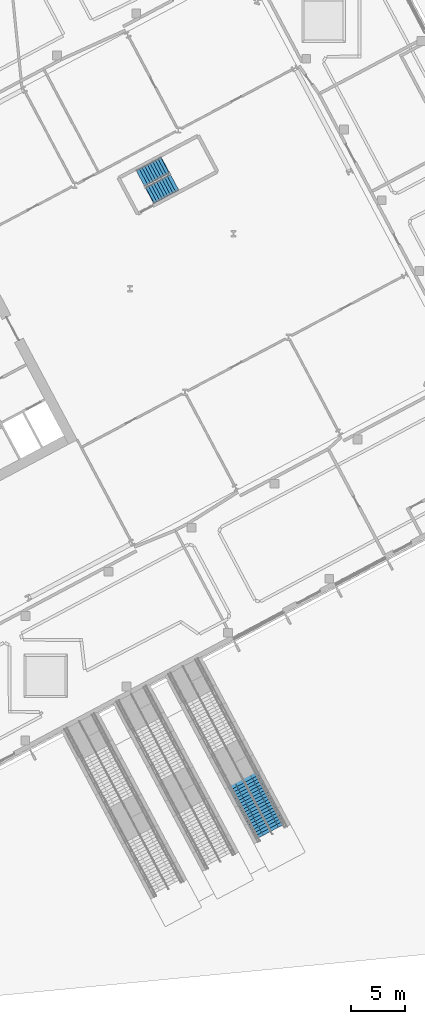
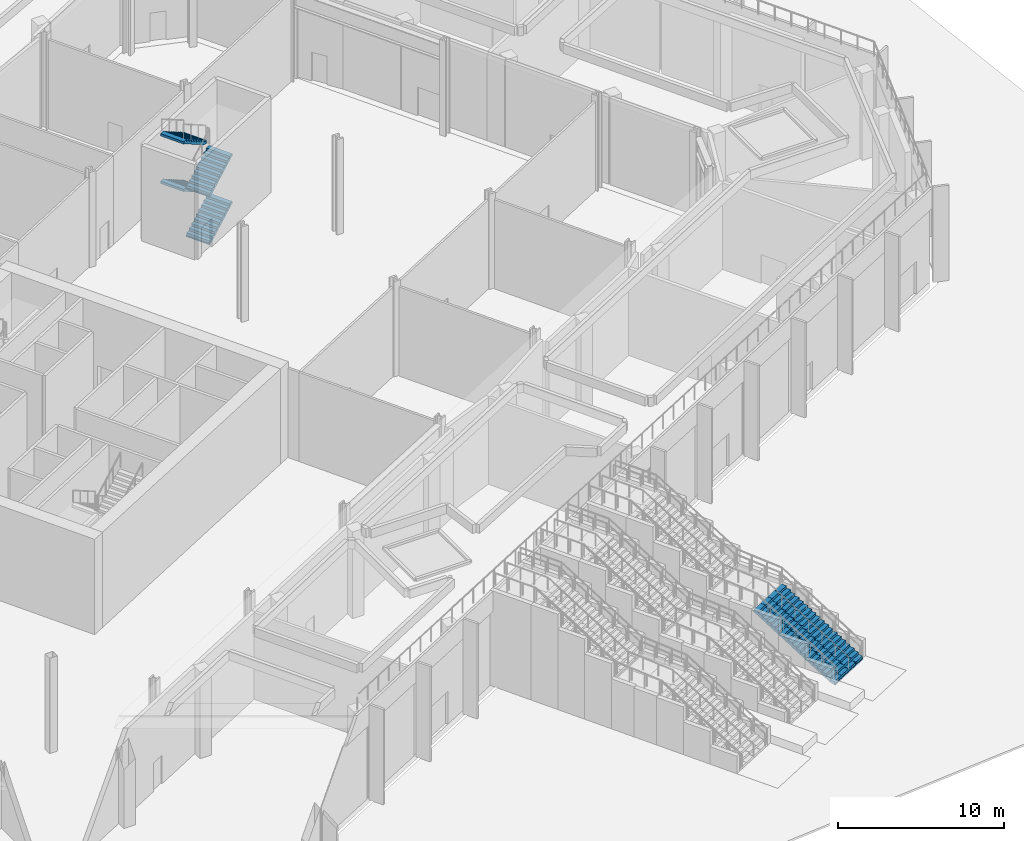
# One storey, part 36 of 57: 5 stair flights, 2 elements without a shape of their own.
"""IFC4 building model written with IfcOpenShell, lengths in metres."""

from ifc_helpers import new_model, si_unit, direction, frame, origin, place, context, subcontext, project, spatial, polyline, outline, extrude, material, layer, layer_set, type_object, element, aggregate, save


model = new_model("IFC4")

# Units and contexts
model_context = context("Model", 3, precision=1e-05, world=origin(), true_north=direction((0.0, 1.0)))
body_context = subcontext(model_context, "Body", "Model", "MODEL_VIEW")
ifc_project = project(units=[si_unit("LENGTHUNIT", "METRE"), si_unit("AREAUNIT", "SQUARE_METRE"), si_unit("VOLUMEUNIT", "CUBIC_METRE"), si_unit("PLANEANGLEUNIT", "RADIAN"), si_unit("MASSUNIT", "GRAM", prefix="KILO")], contexts=[model_context])

# Site, building, storey
site_placement = place(None, origin())
site = spatial("IfcSite", under=ifc_project, at=site_placement, CompositionType="ELEMENT")
building_placement = place(site_placement, origin())
building = spatial("IfcBuilding", under=site, at=building_placement, Name="Cormorant Relay Tower", CompositionType="ELEMENT")
storey_placement = place(building_placement, origin())
storey = spatial("IfcBuildingStorey", under=building, at=storey_placement, Name="L00", CompositionType="ELEMENT", Elevation=0.0)

# Stair, stair flights
ifc_material_1 = material(Name="Concrete 40 MPa", Category="concrete")
stair_type_1 = type_object("IfcStairType", Name="Exit stair 1500", PredefinedType="HALF_TURN_STAIR", material=ifc_material_1)
stair_1_placement = place(storey_placement, origin())
stair_1 = element("IfcStair", 1, at=stair_1_placement, inside=storey, type_object=stair_type_1, Name="L00 Stair", PredefinedType="HALF_TURN_STAIR")
ifc_material_2 = material(Name="Concrete 40 MPa", Category="concrete")
stair_flight_type_1 = type_object("IfcStairFlightType", Name="Exit stair flight 1650", PredefinedType="STRAIGHT", material=ifc_material_2)
stair_flight_1_placement = place(storey_placement, frame((44.947509765625, 31.502197265625, 0.0), z_axis=(0.0, 0.0, 1.0), x_axis=(0.882947502727, 0.4694717323, 0.0)))
stair_flight_1 = element("IfcStairFlight", 2, at=stair_flight_1_placement, type_object=stair_flight_type_1, Name="RB1 flight 1", NumberOfRisers=10, NumberOfTreads=9, PredefinedType="STRAIGHT", RiserHeight=0.175, TreadLength=0.28, context=body_context, shape_type="SweptSolid", body=[
    extrude(outline(polyline([(-0.050048828125, -0.080078125), (-0.050048828125, 0.0), (0.0, 0.0), (0.0, 0.175048828125), (0.280029296875, 0.175048828125), (0.280029296875, 0.35009765625), (0.56005859375, 0.35009765625), (0.56005859375, 0.52490234375), (0.840087890625, 0.52490234375), (0.840087890625, 0.699951171875), (1.1201171875, 0.699951171875), (1.1201171875, 0.875), (1.39990234375, 0.875), (1.39990234375, 1.050048828125), (1.679931640625, 1.050048828125), (1.679931640625, 1.22509765625), (1.9599609375, 1.22509765625), (1.9599609375, 1.39990234375), (2.239990234375, 1.39990234375), (2.239990234375, 1.574951171875), (2.52001953125, 1.574951171875), (2.570068359375, 1.574951171875), (2.570068359375, 1.398193359375), (2.52001953125, 1.398193359375), (0.28271484375, 0.0), (-0.050048828125, -0.080078125)])), frame((0.0, 0.824951171875, 0.0), z_axis=(0.0, -1.0, 0.0), x_axis=(1.0, 0.0, 0.0)), (0.0, 0.0, 1.0), 1.64990234375),
])
stair_flight_2_placement = place(storey_placement, frame((46.32763671875, 34.2744140625, 1.75), z_axis=(0.0, 0.0, 1.0), x_axis=(-0.882947502727, -0.4694717323, 0.0)))
stair_flight_2 = element("IfcStairFlight", 3, at=stair_flight_2_placement, type_object=stair_flight_type_1, Name="RB1 flight 2", NumberOfRisers=10, NumberOfTreads=9, PredefinedType="STRAIGHT", RiserHeight=0.175, TreadLength=0.28, context=body_context, shape_type="SweptSolid", body=[
    extrude(outline(polyline([(-0.050048828125, -0.080078125), (-0.050048828125, 0.0), (0.0, 0.0), (0.0, 0.175048828125), (0.280029296875, 0.175048828125), (0.280029296875, 0.35009765625), (0.56005859375, 0.35009765625), (0.56005859375, 0.52490234375), (0.840087890625, 0.52490234375), (0.840087890625, 0.699951171875), (1.1201171875, 0.699951171875), (1.1201171875, 0.875), (1.39990234375, 0.875), (1.39990234375, 1.050048828125), (1.679931640625, 1.050048828125), (1.679931640625, 1.22509765625), (1.9599609375, 1.22509765625), (1.9599609375, 1.39990234375), (2.239990234375, 1.39990234375), (2.239990234375, 1.574951171875), (2.52001953125, 1.574951171875), (2.570068359375, 1.574951171875), (2.570068359375, 1.398193359375), (2.52001953125, 1.398193359375), (0.28271484375, 0.0), (-0.050048828125, -0.080078125)])), frame((0.0, 0.824951171875, 0.0), z_axis=(0.0, -1.0, 0.0), x_axis=(1.0, 0.0, 0.0)), (0.0, 0.0, 1.0), 1.64990234375),
])
stair_flight_3_placement = place(storey_placement, frame((44.947509765625, 31.502197265625, 3.5), z_axis=(0.0, 0.0, 1.0), x_axis=(0.882947502727, 0.4694717323, 0.0)))
stair_flight_3 = element("IfcStairFlight", 4, at=stair_flight_3_placement, type_object=stair_flight_type_1, Name="RB1 flight 3", NumberOfRisers=10, NumberOfTreads=9, PredefinedType="STRAIGHT", RiserHeight=0.175, TreadLength=0.28, context=body_context, shape_type="SweptSolid", body=[
    extrude(outline(polyline([(-0.050048828125, -0.080078125), (-0.050048828125, 0.0), (0.0, 0.0), (0.0, 0.175048828125), (0.280029296875, 0.175048828125), (0.280029296875, 0.35009765625), (0.56005859375, 0.35009765625), (0.56005859375, 0.52490234375), (0.840087890625, 0.52490234375), (0.840087890625, 0.699951171875), (1.1201171875, 0.699951171875), (1.1201171875, 0.875), (1.39990234375, 0.875), (1.39990234375, 1.050048828125), (1.679931640625, 1.050048828125), (1.679931640625, 1.22509765625), (1.9599609375, 1.22509765625), (1.9599609375, 1.39990234375), (2.239990234375, 1.39990234375), (2.239990234375, 1.574951171875), (2.52001953125, 1.574951171875), (2.570068359375, 1.574951171875), (2.570068359375, 1.398193359375), (2.52001953125, 1.398193359375), (0.28271484375, 0.0), (-0.050048828125, -0.080078125)])), frame((0.0, 0.824951171875, 0.0), z_axis=(0.0, -1.0, 0.0), x_axis=(1.0, 0.0, 0.0)), (0.0, 0.0, 1.0), 1.64990234375),
])
stair_flight_4_placement = place(storey_placement, frame((46.32763671875, 34.2744140625, 5.25), z_axis=(0.0, 0.0, 1.0), x_axis=(-0.882947502727, -0.4694717323, 0.0)))
stair_flight_4 = element("IfcStairFlight", 5, at=stair_flight_4_placement, type_object=stair_flight_type_1, Name="RB1 flight 4", NumberOfRisers=10, NumberOfTreads=9, PredefinedType="STRAIGHT", RiserHeight=0.175, TreadLength=0.28, context=body_context, shape_type="SweptSolid", body=[
    extrude(outline(polyline([(-0.050048828125, -0.080078125), (-0.050048828125, 0.0), (0.0, 0.0), (0.0, 0.175048828125), (0.280029296875, 0.175048828125), (0.280029296875, 0.35009765625), (0.56005859375, 0.35009765625), (0.56005859375, 0.52490234375), (0.840087890625, 0.52490234375), (0.840087890625, 0.699951171875), (1.1201171875, 0.699951171875), (1.1201171875, 0.875), (1.39990234375, 0.875), (1.39990234375, 1.050048828125), (1.679931640625, 1.050048828125), (1.679931640625, 1.22509765625), (1.9599609375, 1.22509765625), (1.9599609375, 1.39990234375), (2.239990234375, 1.39990234375), (2.239990234375, 1.574951171875), (2.52001953125, 1.574951171875), (2.570068359375, 1.574951171875), (2.570068359375, 1.398193359375), (2.52001953125, 1.398193359375), (0.28271484375, 0.0), (-0.050048828125, -0.080078125)])), frame((0.0, 0.824951171875, 0.0), z_axis=(0.0, -1.0, 0.0), x_axis=(1.0, 0.0, 0.0)), (0.0, 0.0, 1.0), 1.64990234375),
])
aggregate(stair_1, [stair_flight_1, stair_flight_2, stair_flight_3, stair_flight_4])

# Stair, stair flight
ifc_material_3 = material(Name="Concrete 40 MPa", Category="concrete")
stair_type_2 = type_object("IfcStairType", Name="Street stair 3200", PredefinedType="STRAIGHT_RUN_STAIR", material=ifc_material_3)
stair_2_placement = place(storey_placement, origin())
stair_2 = element("IfcStair", 6, at=stair_2_placement, inside=storey, type_object=stair_type_2, Name="Street stair 1C", PredefinedType="STRAIGHT_RUN_STAIR")
ifc_material_4 = material(Name="Concrete 40 MPa", Category="concrete")
ifc_layer = layer(ifc_material_4, 0.199951171875)
ifc_layer_set = layer_set([ifc_layer], Name="Street stair flight")
stair_flight_type_2 = type_object("IfcStairFlightType", Name="Street stair flight", PredefinedType="STRAIGHT", material=ifc_layer_set)
stair_flight_5_placement = place(storey_placement, frame((56.206298828125, -27.309326171875, 0.0), z_axis=(0.0, 0.0, 1.0), x_axis=(-0.469471562786, 0.882947592859, 0.0)))
stair_flight_5 = element("IfcStairFlight", 7, at=stair_flight_5_placement, type_object=stair_flight_type_2, Name="PST1 flight 2", NumberOfRisers=20, NumberOfTreads=19, PredefinedType="STRAIGHT", RiserHeight=0.175, TreadLength=0.3, context=body_context, shape_type="SweptSolid", body=[
    extrude(outline(polyline([(-0.050048828125, -0.080078125), (-0.050048828125, 0.0), (0.0, 0.0), (0.0, 0.175048828125), (0.300048828125, 0.175048828125), (0.300048828125, 0.35009765625), (0.60009765625, 0.35009765625), (0.60009765625, 0.52490234375), (0.89990234375, 0.52490234375), (0.89990234375, 0.699951171875), (1.199951171875, 0.699951171875), (1.199951171875, 0.875), (1.5, 0.875), (1.5, 1.050048828125), (1.800048828125, 1.050048828125), (1.800048828125, 1.22509765625), (2.10009765625, 1.22509765625), (2.10009765625, 1.39990234375), (2.39990234375, 1.39990234375), (2.39990234375, 1.574951171875), (2.699951171875, 1.574951171875), (2.699951171875, 1.75), (3.0, 1.75), (3.0, 1.925048828125), (3.300048828125, 1.925048828125), (3.300048828125, 2.10009765625), (3.60009765625, 2.10009765625), (3.60009765625, 2.27490234375), (3.89990234375, 2.27490234375), (3.89990234375, 2.449951171875), (4.199951171875, 2.449951171875), (4.199951171875, 2.625), (4.5, 2.625), (4.5, 2.800048828125), (4.800048828125, 2.800048828125), (4.800048828125, 2.97509765625), (5.10009765625, 2.97509765625), (5.10009765625, 3.14990234375), (5.39990234375, 3.14990234375), (5.39990234375, 3.324951171875), (5.699951171875, 3.324951171875), (5.75, 3.324951171875), (5.75, 3.1513671875), (5.699951171875, 3.1513671875), (0.297607421875, 0.0), (-0.050048828125, -0.080078125)])), frame((0.0, 1.60009765625, 0.0), z_axis=(0.0, -1.0, 0.0), x_axis=(1.0, 0.0, 0.0)), (0.0, 0.0, 1.0), 0.784912109375),
    extrude(outline(polyline([(-0.050048828125, -0.080078125), (-0.050048828125, 0.0), (0.0, 0.0), (0.0, 0.175048828125), (0.300048828125, 0.175048828125), (0.300048828125, 0.35009765625), (0.60009765625, 0.35009765625), (0.60009765625, 0.52490234375), (0.89990234375, 0.52490234375), (0.89990234375, 0.699951171875), (1.199951171875, 0.699951171875), (1.199951171875, 0.875), (1.5, 0.875), (1.5, 1.050048828125), (1.800048828125, 1.050048828125), (1.800048828125, 1.22509765625), (2.10009765625, 1.22509765625), (2.10009765625, 1.39990234375), (2.39990234375, 1.39990234375), (2.39990234375, 1.574951171875), (2.699951171875, 1.574951171875), (2.699951171875, 1.75), (3.0, 1.75), (3.0, 1.925048828125), (3.300048828125, 1.925048828125), (3.300048828125, 2.10009765625), (3.60009765625, 2.10009765625), (3.60009765625, 2.27490234375), (3.89990234375, 2.27490234375), (3.89990234375, 2.449951171875), (4.199951171875, 2.449951171875), (4.199951171875, 2.625), (4.5, 2.625), (4.5, 2.800048828125), (4.800048828125, 2.800048828125), (4.800048828125, 2.97509765625), (5.10009765625, 2.97509765625), (5.10009765625, 3.14990234375), (5.39990234375, 3.14990234375), (5.39990234375, 3.324951171875), (5.699951171875, 3.324951171875), (5.75, 3.324951171875), (5.75, 3.1513671875), (5.699951171875, 3.1513671875), (0.297607421875, 0.0), (-0.050048828125, -0.080078125)])), frame((0.0, 0.795166015625, 0.0), z_axis=(0.0, -1.0, 0.0), x_axis=(1.0, 0.0, 0.0)), (0.0, 0.0, 1.0), 0.784912109375),
    extrude(outline(polyline([(-0.050048828125, -0.080078125), (-0.050048828125, 0.0), (0.0, 0.0), (0.0, 0.175048828125), (0.300048828125, 0.175048828125), (0.300048828125, 0.35009765625), (0.60009765625, 0.35009765625), (0.60009765625, 0.52490234375), (0.89990234375, 0.52490234375), (0.89990234375, 0.699951171875), (1.199951171875, 0.699951171875), (1.199951171875, 0.875), (1.5, 0.875), (1.5, 1.050048828125), (1.800048828125, 1.050048828125), (1.800048828125, 1.22509765625), (2.10009765625, 1.22509765625), (2.10009765625, 1.39990234375), (2.39990234375, 1.39990234375), (2.39990234375, 1.574951171875), (2.699951171875, 1.574951171875), (2.699951171875, 1.75), (3.0, 1.75), (3.0, 1.925048828125), (3.300048828125, 1.925048828125), (3.300048828125, 2.10009765625), (3.60009765625, 2.10009765625), (3.60009765625, 2.27490234375), (3.89990234375, 2.27490234375), (3.89990234375, 2.449951171875), (4.199951171875, 2.449951171875), (4.199951171875, 2.625), (4.5, 2.625), (4.5, 2.800048828125), (4.800048828125, 2.800048828125), (4.800048828125, 2.97509765625), (5.10009765625, 2.97509765625), (5.10009765625, 3.14990234375), (5.39990234375, 3.14990234375), (5.39990234375, 3.324951171875), (5.699951171875, 3.324951171875), (5.75, 3.324951171875), (5.75, 3.1513671875), (5.699951171875, 3.1513671875), (0.297607421875, 0.0), (-0.050048828125, -0.080078125)])), frame((0.0, -0.009765625, 0.0), z_axis=(0.0, -1.0, 0.0), x_axis=(1.0, 0.0, 0.0)), (0.0, 0.0, 1.0), 0.784912109375),
    extrude(outline(polyline([(-0.050048828125, -0.080078125), (-0.050048828125, 0.0), (0.0, 0.0), (0.0, 0.175048828125), (0.300048828125, 0.175048828125), (0.300048828125, 0.35009765625), (0.60009765625, 0.35009765625), (0.60009765625, 0.52490234375), (0.89990234375, 0.52490234375), (0.89990234375, 0.699951171875), (1.199951171875, 0.699951171875), (1.199951171875, 0.875), (1.5, 0.875), (1.5, 1.050048828125), (1.800048828125, 1.050048828125), (1.800048828125, 1.22509765625), (2.10009765625, 1.22509765625), (2.10009765625, 1.39990234375), (2.39990234375, 1.39990234375), (2.39990234375, 1.574951171875), (2.699951171875, 1.574951171875), (2.699951171875, 1.75), (3.0, 1.75), (3.0, 1.925048828125), (3.300048828125, 1.925048828125), (3.300048828125, 2.10009765625), (3.60009765625, 2.10009765625), (3.60009765625, 2.27490234375), (3.89990234375, 2.27490234375), (3.89990234375, 2.449951171875), (4.199951171875, 2.449951171875), (4.199951171875, 2.625), (4.5, 2.625), (4.5, 2.800048828125), (4.800048828125, 2.800048828125), (4.800048828125, 2.97509765625), (5.10009765625, 2.97509765625), (5.10009765625, 3.14990234375), (5.39990234375, 3.14990234375), (5.39990234375, 3.324951171875), (5.699951171875, 3.324951171875), (5.75, 3.324951171875), (5.75, 3.1513671875), (5.699951171875, 3.1513671875), (0.297607421875, 0.0), (-0.050048828125, -0.080078125)])), frame((0.0, -0.814697265625, 0.0), z_axis=(0.0, -1.0, 0.0), x_axis=(1.0, 0.0, 0.0)), (0.0, 0.0, 1.0), 0.784912109375),
])
aggregate(stair_2, [stair_flight_5])

save(model, "model.ifc")
